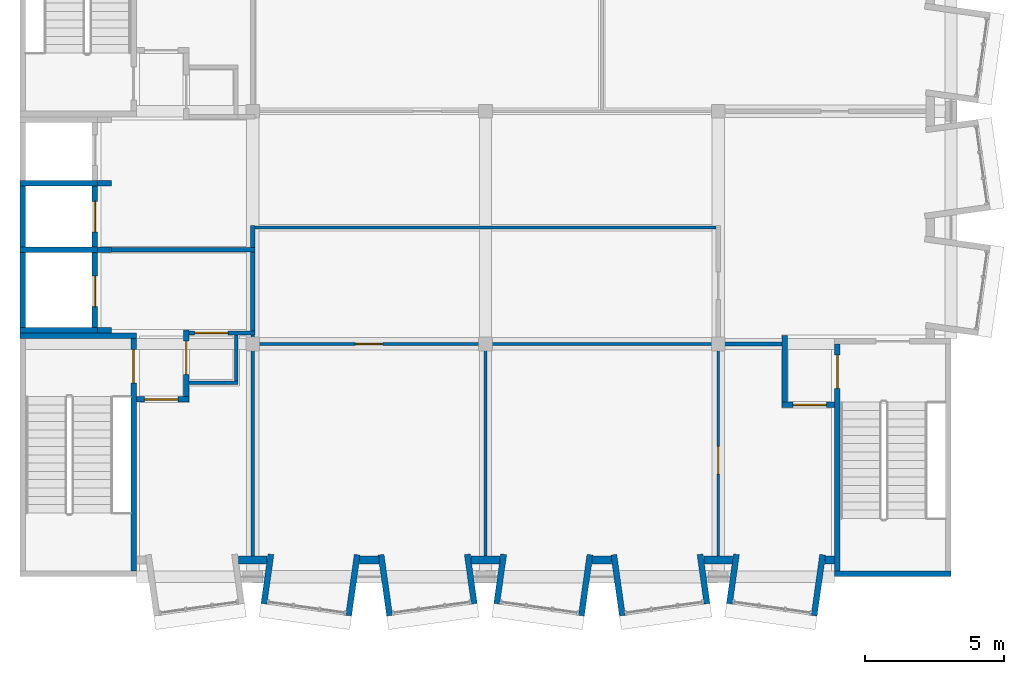
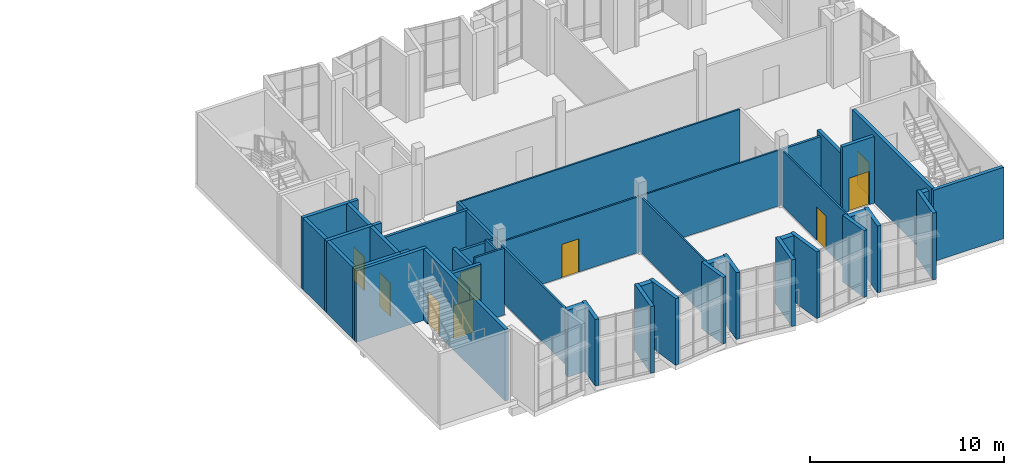
# One storey, part 11 of 18: 46 walls, 10 doors, 10 openings.
"""IFC4 building model written with IfcOpenShell, lengths in metres."""

from ifc_helpers import new_model, si_unit, direction, frame, frame_2d, origin, place, context, subcontext, project, spatial, rectangle, extrude, material, layer, layer_set, type_object, element, fill, save


model = new_model("IFC4")

# Units and contexts
model_context = context("Model", 3, precision=1e-05, world=origin(), true_north=direction((0.0, 1.0)))
body_context = subcontext(model_context, "Body", "Model", "MODEL_VIEW")
ifc_project = project(units=[si_unit("LENGTHUNIT", "METRE"), si_unit("AREAUNIT", "SQUARE_METRE"), si_unit("VOLUMEUNIT", "CUBIC_METRE"), si_unit("PLANEANGLEUNIT", "RADIAN"), si_unit("MASSUNIT", "GRAM", prefix="KILO")], contexts=[model_context])

# Site, building, storey
site_placement = place(None, origin())
site = spatial("IfcSite", under=ifc_project, at=site_placement, CompositionType="ELEMENT")
building_placement = place(site_placement, origin())
building = spatial("IfcBuilding", under=site, at=building_placement, Name="Kiln Court Media Centre", CompositionType="ELEMENT")
storey_placement = place(building_placement, frame((0.0, 0.0, 33.60009765625)))
storey = spatial("IfcBuildingStorey", under=building, at=storey_placement, Name="L07", CompositionType="ELEMENT", Elevation=33.60009765625)

# Wall, opening, door
ifc_material_1 = material(Name="Concrete block masonry M7.5", Category="masonry")
ifc_layer_1 = layer(ifc_material_1, 0.14990234375)
ifc_layer_set_1 = layer_set([ifc_layer_1], Name="Block lobby wall 150 EI 120")
wall_type_1 = type_object("IfcWallType", Name="Block lobby wall 150 EI 120", PredefinedType="SOLIDWALL", material=ifc_layer_set_1)
wall_1_placement = place(storey_placement, frame((6.10009765625, 8.800048828125, 0.0), z_axis=(0.0, 0.0, 1.0), x_axis=(1.0, 0.0, 0.0)))
wall_1 = element("IfcWall", 1, at=wall_1_placement, inside=storey, type_object=wall_type_1, Name="L07 block lobby wall", PredefinedType="SOLIDWALL", context=body_context, shape_type="SweptSolid", body=[
    extrude(rectangle(XDim=2.375, YDim=0.14990234375, at=frame_2d((1.1875, 0.0))), origin(), (0.0, 0.0, 1.0), 3.5),
])
opening_1_placement = place(wall_1_placement, frame((0.199951171875, 0.0, 0.0)))
opening_1 = element("IfcOpeningElement", 2, at=opening_1_placement, cuts=wall_1, Name="Opening D7013", PredefinedType="OPENING", context=body_context, shape_type="SweptSolid", body=[
    extrude(rectangle(XDim=1.199951171875, YDim=2.10009765625, at=frame_2d((0.60009765625, 1.050048828125))), frame((0.0, 0.0849609375, 0.0), z_axis=(0.0, -1.0, 0.0), x_axis=(1.0, 0.0, 0.0)), (0.0, 0.0, 1.0), 0.169921875),
])
ifc_material_2 = material(Name="Steel S275", Category="steel")
door_type_1 = type_object("IfcDoorType", Name="Steel lobby door 1200 x 2100 FD120", OperationType="SINGLE_SWING_LEFT", PredefinedType="DOOR", material=ifc_material_2)
door_1_placement = place(opening_1_placement, origin())
door_1 = element("IfcDoor", 3, at=door_1_placement, inside=storey, type_object=door_type_1, Name="Wheelchair Refuge / Fire-fighting Lift Lobby", OperationType="SINGLE_SWING_RIGHT", OverallHeight=2.10009765625, OverallWidth=1.199951171875, PredefinedType="DOOR", context=body_context, shape_type="SweptSolid", body=[
    extrude(rectangle(XDim=1.199951171875, YDim=2.10009765625, at=frame_2d((0.60009765625, 1.050048828125))), frame((0.0, 0.02490234375, 0.0), z_axis=(0.0, -1.0, 0.0), x_axis=(1.0, 0.0, 0.0)), (0.0, 0.0, 1.0), 0.050048828125),
])
fill(opening_1, door_1)

# Walls
wall_2_placement = place(storey_placement, frame((3.300048828125, 11.800048828125, 0.0), z_axis=(0.0, 0.0, 1.0), x_axis=(1.0, 0.0, 0.0)))
element("IfcWall", 4, at=wall_2_placement, inside=storey, type_object=wall_type_1, Name="L07 block lobby wall", PredefinedType="SOLIDWALL", context=body_context, shape_type="SweptSolid", body=[
    extrude(rectangle(XDim=5.175048828125, YDim=0.14990234375, at=frame_2d((2.58740234375, 0.0))), origin(), (0.0, 0.0, 1.0), 3.5),
])
wall_3_placement = place(storey_placement, frame((8.39990234375, 8.875, 0.0), z_axis=(0.0, 0.0, 1.0), x_axis=(0.0, 1.0, 0.0)))
element("IfcWall", 5, at=wall_3_placement, inside=storey, type_object=wall_type_1, Name="L07 block lobby wall", PredefinedType="SOLIDWALL", context=body_context, shape_type="SweptSolid", body=[
    extrude(rectangle(XDim=2.85009765625, YDim=0.14990234375, at=frame_2d((1.425048828125, 0.0))), origin(), (0.0, 0.0, 1.0), 3.5),
])

# Wall, opening, door
ifc_material_3 = material(Name="Concrete block masonry M10", Category="masonry")
ifc_layer_2 = layer(ifc_material_3, 0.199951171875)
ifc_layer_set_2 = layer_set([ifc_layer_2], Name="Block vestibule wall 200 EI 240")
wall_type_2 = type_object("IfcWallType", Name="Block vestibule wall 200 EI 240", PredefinedType="SOLIDWALL", material=ifc_layer_set_2)
wall_4_placement = place(storey_placement, frame((27.5, 6.199951171875, 0.0), z_axis=(0.0, 0.0, 1.0), x_axis=(1.0, 0.0, 0.0)))
wall_4 = element("IfcWall", 6, at=wall_4_placement, inside=storey, type_object=wall_type_2, Name="L07 block vestibule wall", PredefinedType="SOLIDWALL", context=body_context, shape_type="SweptSolid", body=[
    extrude(rectangle(XDim=1.89990234375, YDim=0.199951171875, at=frame_2d((0.949951171875, 0.0))), origin(), (0.0, 0.0, 1.0), 4.199951171875),
])
opening_2_placement = place(wall_4_placement, frame((0.39990234375, 0.0, 0.0)))
opening_2 = element("IfcOpeningElement", 7, at=opening_2_placement, cuts=wall_4, Name="Opening D7005", PredefinedType="OPENING", context=body_context, shape_type="SweptSolid", body=[
    extrude(rectangle(XDim=1.199951171875, YDim=2.10009765625, at=frame_2d((0.60009765625, 1.050048828125))), frame((0.0, 0.10986328125, 0.0), z_axis=(0.0, -1.0, 0.0), x_axis=(1.0, 0.0, 0.0)), (0.0, 0.0, 1.0), 0.219970703125),
])
ifc_material_4 = material(Name="Steel S275", Category="steel")
door_type_2 = type_object("IfcDoorType", Name="Steel vestibule door 1200 x 2100 FD180", OperationType="SINGLE_SWING_LEFT", PredefinedType="DOOR", material=ifc_material_4)
door_2_placement = place(opening_2_placement, origin())
door_2 = element("IfcDoor", 8, at=door_2_placement, inside=storey, type_object=door_type_2, Name="Meeting Room / Stair 3 Vestibule", OperationType="SINGLE_SWING_RIGHT", OverallHeight=2.10009765625, OverallWidth=1.199951171875, PredefinedType="DOOR", context=body_context, shape_type="SweptSolid", body=[
    extrude(rectangle(XDim=1.199951171875, YDim=2.10009765625, at=frame_2d((0.60009765625, 1.050048828125))), frame((0.0, 0.02490234375, 0.0), z_axis=(0.0, -1.0, 0.0), x_axis=(1.0, 0.0, 0.0)), (0.0, 0.0, 1.0), 0.050048828125),
])
fill(opening_2, door_2)

wall_5_placement = place(storey_placement, frame((4.2001953125, 6.39990234375, 0.0), z_axis=(0.0, 0.0, 1.0), x_axis=(1.0, 0.0, 0.0)))
wall_5 = element("IfcWall", 9, at=wall_5_placement, inside=storey, type_object=wall_type_2, Name="L07 block vestibule wall", PredefinedType="SOLIDWALL", context=body_context, shape_type="SweptSolid", body=[
    extrude(rectangle(XDim=1.89990234375, YDim=0.199951171875, at=frame_2d((0.949951171875, 0.0))), origin(), (0.0, 0.0, 1.0), 4.199951171875),
])
opening_3_placement = place(wall_5_placement, frame((0.2998046875, 0.0, 0.0)))
opening_3 = element("IfcOpeningElement", 10, at=opening_3_placement, cuts=wall_5, Name="Opening D7006", PredefinedType="OPENING", context=body_context, shape_type="SweptSolid", body=[
    extrude(rectangle(XDim=1.199951171875, YDim=2.10009765625, at=frame_2d((0.60009765625, 1.050048828125))), frame((0.0, 0.10986328125, 0.0), z_axis=(0.0, -1.0, 0.0), x_axis=(1.0, 0.0, 0.0)), (0.0, 0.0, 1.0), 0.219970703125),
])
door_3_placement = place(opening_3_placement, origin())
door_3 = element("IfcDoor", 11, at=door_3_placement, inside=storey, type_object=door_type_2, Name="Toilets and Accessible WC / Stair 1 Vestibule", OperationType="SINGLE_SWING_LEFT", OverallHeight=2.10009765625, OverallWidth=1.199951171875, PredefinedType="DOOR", context=body_context, shape_type="SweptSolid", body=[
    extrude(rectangle(XDim=1.199951171875, YDim=2.10009765625, at=frame_2d((0.60009765625, 1.050048828125))), frame((0.0, 0.02490234375, 0.0), z_axis=(0.0, -1.0, 0.0), x_axis=(1.0, 0.0, 0.0)), (0.0, 0.0, 1.0), 0.050048828125),
])
fill(opening_3, door_3)

wall_6_placement = place(storey_placement, frame((6.0, 6.5, 0.0), z_axis=(0.0, 0.0, 1.0), x_axis=(0.0, 1.0, 0.0)))
wall_6 = element("IfcWall", 12, at=wall_6_placement, inside=storey, type_object=wall_type_2, Name="L07 block vestibule wall", PredefinedType="SOLIDWALL", context=body_context, shape_type="SweptSolid", body=[
    extrude(rectangle(XDim=2.39990234375, YDim=0.199951171875, at=frame_2d((1.199951171875, 0.0))), origin(), (0.0, 0.0, 1.0), 3.699951171875),
])
opening_4_placement = place(wall_6_placement, frame((0.800048828125, 0.0, 0.0)))
opening_4 = element("IfcOpeningElement", 13, at=opening_4_placement, cuts=wall_6, Name="Opening D7007", PredefinedType="OPENING", context=body_context, shape_type="SweptSolid", body=[
    extrude(rectangle(XDim=1.199951171875, YDim=2.10009765625, at=frame_2d((0.60009765625, 1.050048828125))), frame((0.0, 0.10986328125, 0.0), z_axis=(0.0, -1.0, 0.0), x_axis=(1.0, 0.0, 0.0)), (0.0, 0.0, 1.0), 0.219970703125),
])
door_4_placement = place(opening_4_placement, origin())
door_4 = element("IfcDoor", 14, at=door_4_placement, inside=storey, type_object=door_type_2, Name="Stair 1 Vestibule / Wheelchair Refuge", OperationType="SINGLE_SWING_RIGHT", OverallHeight=2.10009765625, OverallWidth=1.199951171875, PredefinedType="DOOR", context=body_context, shape_type="SweptSolid", body=[
    extrude(rectangle(XDim=1.199951171875, YDim=2.10009765625, at=frame_2d((0.60009765625, 1.050048828125))), frame((0.0, 0.02490234375, 0.0), z_axis=(0.0, -1.0, 0.0), x_axis=(1.0, 0.0, 0.0)), (0.0, 0.0, 1.0), 0.050048828125),
])
fill(opening_4, door_4)

# Walls
wall_7_placement = place(storey_placement, frame((27.60009765625, 6.300048828125, 0.0), z_axis=(0.0, 0.0, 1.0), x_axis=(0.0, 1.0, 0.0)))
element("IfcWall", 15, at=wall_7_placement, inside=storey, type_object=wall_type_2, Name="L07 block vestibule wall", PredefinedType="SOLIDWALL", context=body_context, shape_type="SweptSolid", body=[
    extrude(rectangle(XDim=2.39990234375, YDim=0.199951171875, at=frame_2d((1.199951171875, 0.0))), origin(), (0.0, 0.0, 1.0), 3.699951171875),
])
ifc_material_5 = material(Name="Brick masonry facing leaf with RC backing", Category="masonry")
ifc_layer_3 = layer(ifc_material_5, 0.215087890625)
ifc_layer_set_3 = layer_set([ifc_layer_3], Name="Brick masonry bay cheek wall 215")
wall_type_3 = type_object("IfcWallType", Name="Brick masonry bay cheek wall 215", PredefinedType="SOLIDWALL", material=ifc_layer_set_3)
wall_8_placement = place(storey_placement, frame((9.055908203125, 0.808837890625, 0.0), z_axis=(0.0, 0.0, 1.0), x_axis=(-0.139161311926, -0.990269725511, 0.0)))
element("IfcWall", 16, at=wall_8_placement, inside=storey, type_object=wall_type_3, Name="BAY V6A-S-L07-48 cheek L", PredefinedType="SOLIDWALL", context=body_context, shape_type="SweptSolid", body=[
    extrude(rectangle(XDim=1.800048828125, YDim=0.215087890625, at=frame_2d((0.89990234375, 0.0))), origin(), (0.0, 0.0, 1.0), 4.199951171875),
])
wall_9_placement = place(storey_placement, frame((12.16943359375, 0.794921875, 0.0), z_axis=(0.0, 0.0, 1.0), x_axis=(-0.139141913905, -0.990272451295, 0.0)))
element("IfcWall", 17, at=wall_9_placement, inside=storey, type_object=wall_type_3, Name="BAY V6A-S-L07-48 cheek R", PredefinedType="SOLIDWALL", context=body_context, shape_type="SweptSolid", body=[
    extrude(rectangle(XDim=2.219482421875, YDim=0.215087890625, at=frame_2d((1.10986328125, 0.0))), origin(), (0.0, 0.0, 1.0), 4.199951171875),
])
wall_10_placement = place(storey_placement, frame((13.030517578125, 0.794921875, 0.0), z_axis=(0.0, 0.0, 1.0), x_axis=(0.139249775508, -0.99025728981, 0.0)))
element("IfcWall", 18, at=wall_10_placement, inside=storey, type_object=wall_type_3, Name="BAY V6A-S-L07-49 cheek L", PredefinedType="SOLIDWALL", context=body_context, shape_type="SweptSolid", body=[
    extrude(rectangle(XDim=2.2197265625, YDim=0.215087890625, at=frame_2d((1.10986328125, 0.0))), origin(), (0.0, 0.0, 1.0), 4.199951171875),
])
for number, where, z_axis, x_axis, name in (
    (19, (16.14404296875, 0.808837890625, 0.0), (0.0, 0.0, 1.0), (0.139161311926, -0.990269725511, 0.0), "BAY V6A-S-L07-49 cheek R"),
    (20, (17.4560546875, 0.808837890625, 0.0), (0.0, 0.0, 1.0), (-0.139161311926, -0.990269725511, 0.0), "BAY V6A-S-L07-50 cheek L"),
):
    element("IfcWall", number, at=place(storey_placement, frame(where, z_axis=z_axis, x_axis=x_axis)), inside=storey, type_object=wall_type_3, Name=name, PredefinedType="SOLIDWALL", context=body_context, shape_type="SweptSolid", body=[
        extrude(rectangle(XDim=1.800048828125, YDim=0.215087890625, at=frame_2d((0.89990234375, 0.0))), origin(), (0.0, 0.0, 1.0), 4.199951171875),
    ])
for number, where, z_axis, x_axis, name in (
    (21, (20.5693359375, 0.794921875, 0.0), (0.0, 0.0, 1.0), (-0.139141913905, -0.990272451295, 0.0), "BAY V6A-S-L07-50 cheek R"),
    (22, (21.4306640625, 0.794921875, 0.0), (0.0, 0.0, 1.0), (0.139141913905, -0.990272451295, 0.0), "BAY V6A-S-L07-51 cheek L"),
):
    element("IfcWall", number, at=place(storey_placement, frame(where, z_axis=z_axis, x_axis=x_axis)), inside=storey, type_object=wall_type_3, Name=name, PredefinedType="SOLIDWALL", context=body_context, shape_type="SweptSolid", body=[
        extrude(rectangle(XDim=2.219482421875, YDim=0.215087890625, at=frame_2d((1.10986328125, 0.0))), origin(), (0.0, 0.0, 1.0), 4.199951171875),
    ])
for number, where, z_axis, x_axis, name in (
    (23, (24.5439453125, 0.808837890625, 0.0), (0.0, 0.0, 1.0), (0.139161311926, -0.990269725511, 0.0), "BAY V6A-S-L07-51 cheek R"),
    (24, (25.85595703125, 0.808837890625, 0.0), (0.0, 0.0, 1.0), (-0.139161311926, -0.990269725511, 0.0), "BAY V6A-S-L07-52 cheek L"),
):
    element("IfcWall", number, at=place(storey_placement, frame(where, z_axis=z_axis, x_axis=x_axis)), inside=storey, type_object=wall_type_3, Name=name, PredefinedType="SOLIDWALL", context=body_context, shape_type="SweptSolid", body=[
        extrude(rectangle(XDim=1.800048828125, YDim=0.215087890625, at=frame_2d((0.89990234375, 0.0))), origin(), (0.0, 0.0, 1.0), 4.199951171875),
    ])
wall_11_placement = place(storey_placement, frame((28.969482421875, 0.794921875, 0.0), z_axis=(0.0, 0.0, 1.0), x_axis=(-0.139249775508, -0.99025728981, 0.0)))
element("IfcWall", 25, at=wall_11_placement, inside=storey, type_object=wall_type_3, Name="BAY V6A-S-L07-52 cheek R", PredefinedType="SOLIDWALL", context=body_context, shape_type="SweptSolid", body=[
    extrude(rectangle(XDim=2.2197265625, YDim=0.215087890625, at=frame_2d((1.10986328125, 0.0))), origin(), (0.0, 0.0, 1.0), 4.199951171875),
])
ifc_material_6 = material(Name="Brick masonry facing leaf with RC backing", Category="masonry")
ifc_layer_4 = layer(ifc_material_6, 0.300048828125)
ifc_layer_set_4 = layer_set([ifc_layer_4], Name="Brick masonry cavity wall 300")
wall_type_4 = type_object("IfcWallType", Name="Brick masonry cavity wall 300", PredefinedType="SOLIDWALL", material=ifc_layer_set_4)
wall_12_placement = place(storey_placement, frame((8.918212890625, 0.60009765625, 0.0), z_axis=(0.0, 0.0, 1.0), x_axis=(-1.0, 0.0, 0.0)))
element("IfcWall", 26, at=wall_12_placement, inside=storey, type_object=wall_type_4, Name="V6A-S facade L07 3045", PredefinedType="SOLIDWALL", context=body_context, shape_type="SweptSolid", body=[
    extrude(rectangle(XDim=1.036376953125, YDim=0.300048828125, at=frame_2d((0.51806640625, 0.0))), origin(), (0.0, 0.0, 1.0), 4.199951171875),
])
wall_13_placement = place(storey_placement, frame((12.949462890625, 0.60009765625, 0.0), z_axis=(0.0, 0.0, 1.0), x_axis=(-1.0, 0.0, 0.0)))
element("IfcWall", 27, at=wall_13_placement, inside=storey, type_object=wall_type_4, Name="V6A-S facade L07 3046", PredefinedType="SOLIDWALL", context=body_context, shape_type="SweptSolid", body=[
    extrude(rectangle(XDim=0.698974609375, YDim=0.300048828125, at=frame_2d((0.349609375, 0.0))), origin(), (0.0, 0.0, 1.0), 4.199951171875),
])
wall_14_placement = place(storey_placement, frame((17.318115234375, 0.60009765625, 0.0), z_axis=(0.0, 0.0, 1.0), x_axis=(-1.0, 0.0, 0.0)))
element("IfcWall", 28, at=wall_14_placement, inside=storey, type_object=wall_type_4, Name="V6A-S facade L07 3047", PredefinedType="SOLIDWALL", context=body_context, shape_type="SweptSolid", body=[
    extrude(rectangle(XDim=1.0361328125, YDim=0.300048828125, at=frame_2d((0.51806640625, 0.0))), origin(), (0.0, 0.0, 1.0), 4.199951171875),
])
wall_15_placement = place(storey_placement, frame((21.349609375, 0.60009765625, 0.0), z_axis=(0.0, 0.0, 1.0), x_axis=(-1.0, 0.0, 0.0)))
element("IfcWall", 29, at=wall_15_placement, inside=storey, type_object=wall_type_4, Name="V6A-S facade L07 3048", PredefinedType="SOLIDWALL", context=body_context, shape_type="SweptSolid", body=[
    extrude(rectangle(XDim=0.69921875, YDim=0.300048828125, at=frame_2d((0.349609375, 0.0))), origin(), (0.0, 0.0, 1.0), 4.199951171875),
])
wall_16_placement = place(storey_placement, frame((25.718017578125, 0.60009765625, 0.0), z_axis=(0.0, 0.0, 1.0), x_axis=(-1.0, 0.0, 0.0)))
element("IfcWall", 30, at=wall_16_placement, inside=storey, type_object=wall_type_4, Name="V6A-S facade L07 3049", PredefinedType="SOLIDWALL", context=body_context, shape_type="SweptSolid", body=[
    extrude(rectangle(XDim=1.0361328125, YDim=0.300048828125, at=frame_2d((0.51806640625, 0.0))), origin(), (0.0, 0.0, 1.0), 4.199951171875),
])
wall_17_placement = place(storey_placement, frame((29.39990234375, 0.60009765625, 0.0), z_axis=(0.0, 0.0, 1.0), x_axis=(-1.0, 0.0, 0.0)))
element("IfcWall", 31, at=wall_17_placement, inside=storey, type_object=wall_type_4, Name="V6A-S facade L07 3050", PredefinedType="SOLIDWALL", context=body_context, shape_type="SweptSolid", body=[
    extrude(rectangle(XDim=0.349365234375, YDim=0.300048828125, at=frame_2d((0.1748046875, 0.0))), origin(), (0.0, 0.0, 1.0), 4.199951171875),
])
ifc_material_7 = material(Name="Concrete C40/50", Category="concrete")
ifc_layer_5 = layer(ifc_material_7, 0.199951171875)
ifc_layer_set_5 = layer_set([ifc_layer_5], Name="Concrete C40/50 shear wall 200")
wall_type_5 = type_object("IfcWallType", Name="Concrete C40/50 shear wall 200", PredefinedType="SHEAR", material=ifc_layer_set_5)
wall_18_placement = place(storey_placement, frame((0.00048828125, 8.699951171875, 0.0), z_axis=(0.0, 0.0, 1.0), x_axis=(1.0, 0.0, 0.0)))
element("IfcWall", 32, at=wall_18_placement, inside=storey, type_object=wall_type_5, Name="L07-W-1001", PredefinedType="SHEAR", context=body_context, shape_type="SweptSolid", body=[
    extrude(rectangle(XDim=4.199462890625, YDim=0.199951171875, at=frame_2d((2.099609375, 0.0))), origin(), (0.0, 0.0, 1.0), 4.5),
])

# Wall, opening, door
wall_19_placement = place(storey_placement, frame((4.10009765625, 8.60009765625, 0.0), z_axis=(0.0, 0.0, 1.0), x_axis=(0.0, -1.0, 0.0)))
wall_19 = element("IfcWall", 33, at=wall_19_placement, inside=storey, type_object=wall_type_5, Name="L07-W-1003", PredefinedType="SHEAR", context=body_context, shape_type="SweptSolid", body=[
    extrude(rectangle(XDim=8.400146484375, YDim=0.199951171875, at=frame_2d((4.2001953125, 0.0))), origin(), (0.0, 0.0, 1.0), 4.5),
])
opening_5_placement = place(wall_19_placement, frame((0.400146484375, 0.0, 0.0)))
opening_5 = element("IfcOpeningElement", 34, at=opening_5_placement, cuts=wall_19, Name="Opening D7001", PredefinedType="OPENING", context=body_context, shape_type="SweptSolid", body=[
    extrude(rectangle(XDim=1.199951171875, YDim=2.10009765625, at=frame_2d((0.60009765625, 1.050048828125))), frame((0.0, 0.10986328125, 0.0), z_axis=(0.0, -1.0, 0.0), x_axis=(1.0, 0.0, 0.0)), (0.0, 0.0, 1.0), 0.219970703125),
])
ifc_material_8 = material(Name="Steel S275", Category="steel")
door_type_3 = type_object("IfcDoorType", Name="Steel stair door 1200 x 2100 FD180", OperationType="SINGLE_SWING_LEFT", PredefinedType="DOOR", material=ifc_material_8)
door_5_placement = place(opening_5_placement, origin())
door_5 = element("IfcDoor", 35, at=door_5_placement, inside=storey, type_object=door_type_3, Name="Stair 1 / Stair 1 Vestibule", OperationType="SINGLE_SWING_RIGHT", OverallHeight=2.10009765625, OverallWidth=1.199951171875, PredefinedType="DOOR", context=body_context, shape_type="SweptSolid", body=[
    extrude(rectangle(XDim=1.199951171875, YDim=2.10009765625, at=frame_2d((0.60009765625, 1.050048828125))), frame((0.0, 0.02490234375, 0.0), z_axis=(0.0, -1.0, 0.0), x_axis=(1.0, 0.0, 0.0)), (0.0, 0.0, 1.0), 0.050048828125),
])
fill(opening_5, door_5)

# Wall
wall_20_placement = place(storey_placement, frame((33.60009765625, 0.10009765625, 0.0), z_axis=(0.0, 0.0, 1.0), x_axis=(-1.0, 0.0, 0.0)))
element("IfcWall", 36, at=wall_20_placement, inside=storey, type_object=wall_type_5, Name="L07-W-1008", PredefinedType="SHEAR", context=body_context, shape_type="SweptSolid", body=[
    extrude(rectangle(XDim=4.2001953125, YDim=0.199951171875, at=frame_2d((2.10009765625, 0.0))), origin(), (0.0, 0.0, 1.0), 4.5),
])

# Wall, opening, door
wall_21_placement = place(storey_placement, frame((29.5, 0.199951171875, 0.0), z_axis=(0.0, 0.0, 1.0), x_axis=(0.0, 1.0, 0.0)))
wall_21 = element("IfcWall", 37, at=wall_21_placement, inside=storey, type_object=wall_type_5, Name="L07-W-1010", PredefinedType="SHEAR", context=body_context, shape_type="SweptSolid", body=[
    extrude(rectangle(XDim=8.199951171875, YDim=0.199951171875, at=frame_2d((4.10009765625, 0.0))), origin(), (0.0, 0.0, 1.0), 4.5),
])
opening_6_placement = place(wall_21_placement, frame((6.60009765625, 0.0, 0.0)))
opening_6 = element("IfcOpeningElement", 38, at=opening_6_placement, cuts=wall_21, Name="Opening D7002", PredefinedType="OPENING", context=body_context, shape_type="SweptSolid", body=[
    extrude(rectangle(XDim=1.199951171875, YDim=2.10009765625, at=frame_2d((0.60009765625, 1.050048828125))), frame((0.0, 0.10986328125, 0.0), z_axis=(0.0, -1.0, 0.0), x_axis=(1.0, 0.0, 0.0)), (0.0, 0.0, 1.0), 0.219970703125),
])
door_6_placement = place(opening_6_placement, origin())
door_6 = element("IfcDoor", 39, at=door_6_placement, inside=storey, type_object=door_type_3, Name="Stair 3 / Stair 3 Vestibule", OperationType="SINGLE_SWING_RIGHT", OverallHeight=2.10009765625, OverallWidth=1.199951171875, PredefinedType="DOOR", context=body_context, shape_type="SweptSolid", body=[
    extrude(rectangle(XDim=1.199951171875, YDim=2.10009765625, at=frame_2d((0.60009765625, 1.050048828125))), frame((0.0, 0.02490234375, 0.0), z_axis=(0.0, -1.0, 0.0), x_axis=(1.0, 0.0, 0.0)), (0.0, 0.0, 1.0), 0.050048828125),
])
fill(opening_6, door_6)

# Walls
for number, where, z_axis, x_axis, name in (
    (40, (2.800048828125, 8.89990234375, 0.0), (0.0, 0.0, 1.0), (-1.0, 0.0, 0.0), "L07-W-1020"),
    (41, (0.00048828125, 11.800048828125, 0.0), (0.0, 0.0, 1.0), (1.0, 0.0, 0.0), "L07-W-1021"),
):
    element("IfcWall", number, at=place(storey_placement, frame(where, z_axis=z_axis, x_axis=x_axis)), inside=storey, type_object=wall_type_5, Name=name, PredefinedType="SHEAR", context=body_context, shape_type="SweptSolid", body=[
        extrude(rectangle(XDim=2.799560546875, YDim=0.199951171875, at=frame_2d((1.39990234375, 0.0))), origin(), (0.0, 0.0, 1.0), 4.5),
    ])
wall_22_placement = place(storey_placement, frame((0.100341796875, 9.0, 0.0), z_axis=(0.0, 0.0, 1.0), x_axis=(0.0, 1.0, 0.0)))
element("IfcWall", 42, at=wall_22_placement, inside=storey, type_object=wall_type_5, Name="L07-W-1022", PredefinedType="SHEAR", context=body_context, shape_type="SweptSolid", body=[
    extrude(rectangle(XDim=2.699951171875, YDim=0.199951171875, at=frame_2d((1.35009765625, 0.0))), origin(), (0.0, 0.0, 1.0), 4.5),
])

# Wall, opening, door
wall_23_placement = place(storey_placement, frame((2.699951171875, 11.699951171875, 0.0), z_axis=(0.0, 0.0, 1.0), x_axis=(0.0, -1.0, 0.0)))
wall_23 = element("IfcWall", 43, at=wall_23_placement, inside=storey, type_object=wall_type_5, Name="L07-W-1023", PredefinedType="SHEAR", context=body_context, shape_type="SweptSolid", body=[
    extrude(rectangle(XDim=2.699951171875, YDim=0.199951171875, at=frame_2d((1.35009765625, 0.0))), origin(), (0.0, 0.0, 1.0), 4.5),
])
opening_7_placement = place(wall_23_placement, frame((0.85009765625, 0.0, 0.0)))
opening_7 = element("IfcOpeningElement", 44, at=opening_7_placement, cuts=wall_23, Name="Opening LD701", PredefinedType="OPENING", context=body_context, shape_type="SweptSolid", body=[
    extrude(rectangle(XDim=1.10009765625, YDim=2.10009765625, at=frame_2d((0.550048828125, 1.050048828125))), frame((0.0, 0.10986328125, 0.0), z_axis=(0.0, -1.0, 0.0), x_axis=(1.0, 0.0, 0.0)), (0.0, 0.0, 1.0), 0.219970703125),
])
ifc_material_9 = material(Name="Stainless steel", Category="steel")
door_type_4 = type_object("IfcDoorType", Name="Firefighting lift landing door 1100 x 2100 FD120", OperationType="SLIDING_TO_LEFT", PredefinedType="DOOR", material=ifc_material_9)
door_7_placement = place(opening_7_placement, origin())
door_7 = element("IfcDoor", 45, at=door_7_placement, inside=storey, type_object=door_type_4, Name="LF-01 landing door L07", OperationType="SLIDING_TO_LEFT", OverallHeight=2.10009765625, OverallWidth=1.10009765625, PredefinedType="DOOR", context=body_context, shape_type="SweptSolid", body=[
    extrude(rectangle(XDim=1.10009765625, YDim=2.10009765625, at=frame_2d((0.550048828125, 1.050048828125))), frame((0.0, 0.02490234375, 0.0), z_axis=(0.0, -1.0, 0.0), x_axis=(1.0, 0.0, 0.0)), (0.0, 0.0, 1.0), 0.050048828125),
])
fill(opening_7, door_7)

# Walls
wall_24_placement = place(storey_placement, frame((0.00048828125, 14.199951171875, 0.0), z_axis=(0.0, 0.0, 1.0), x_axis=(1.0, 0.0, 0.0)))
element("IfcWall", 46, at=wall_24_placement, inside=storey, type_object=wall_type_5, Name="L07-W-1024", PredefinedType="SHEAR", context=body_context, shape_type="SweptSolid", body=[
    extrude(rectangle(XDim=2.799560546875, YDim=0.199951171875, at=frame_2d((1.39990234375, 0.0))), origin(), (0.0, 0.0, 1.0), 4.5),
])
wall_25_placement = place(storey_placement, frame((0.100341796875, 11.89990234375, 0.0), z_axis=(0.0, 0.0, 1.0), x_axis=(0.0, 1.0, 0.0)))
element("IfcWall", 47, at=wall_25_placement, inside=storey, type_object=wall_type_5, Name="L07-W-1025", PredefinedType="SHEAR", context=body_context, shape_type="SweptSolid", body=[
    extrude(rectangle(XDim=2.2001953125, YDim=0.199951171875, at=frame_2d((1.10009765625, 0.0))), origin(), (0.0, 0.0, 1.0), 4.5),
])

# Wall, opening, door
wall_26_placement = place(storey_placement, frame((2.699951171875, 14.10009765625, 0.0), z_axis=(0.0, 0.0, 1.0), x_axis=(0.0, -1.0, 0.0)))
wall_26 = element("IfcWall", 48, at=wall_26_placement, inside=storey, type_object=wall_type_5, Name="L07-W-1026", PredefinedType="SHEAR", context=body_context, shape_type="SweptSolid", body=[
    extrude(rectangle(XDim=2.2001953125, YDim=0.199951171875, at=frame_2d((1.10009765625, 0.0))), origin(), (0.0, 0.0, 1.0), 4.5),
])
opening_8_placement = place(wall_26_placement, frame((0.550048828125, 0.0, 0.0)))
opening_8 = element("IfcOpeningElement", 49, at=opening_8_placement, cuts=wall_26, Name="Opening LD702", PredefinedType="OPENING", context=body_context, shape_type="SweptSolid", body=[
    extrude(rectangle(XDim=1.10009765625, YDim=2.10009765625, at=frame_2d((0.550048828125, 1.050048828125))), frame((0.0, 0.10986328125, 0.0), z_axis=(0.0, -1.0, 0.0), x_axis=(1.0, 0.0, 0.0)), (0.0, 0.0, 1.0), 0.219970703125),
])
ifc_material_10 = material(Name="Stainless steel", Category="steel")
door_type_5 = type_object("IfcDoorType", Name="Lift landing door 1100 x 2100 FD120", OperationType="SLIDING_TO_LEFT", PredefinedType="DOOR", material=ifc_material_10)
door_8_placement = place(opening_8_placement, origin())
door_8 = element("IfcDoor", 50, at=door_8_placement, inside=storey, type_object=door_type_5, Name="LF-02 landing door L07", OperationType="SLIDING_TO_LEFT", OverallHeight=2.10009765625, OverallWidth=1.10009765625, PredefinedType="DOOR", context=body_context, shape_type="SweptSolid", body=[
    extrude(rectangle(XDim=1.10009765625, YDim=2.10009765625, at=frame_2d((0.550048828125, 1.050048828125))), frame((0.0, 0.02490234375, 0.0), z_axis=(0.0, -1.0, 0.0), x_axis=(1.0, 0.0, 0.0)), (0.0, 0.0, 1.0), 0.050048828125),
])
fill(opening_8, door_8)

# Walls
for number, where, z_axis, x_axis, name in (
    (51, (3.300048828125, 8.89990234375, 0.0), (0.0, 0.0, 1.0), (-1.0, 0.0, 0.0), "L07-W-1042"),
    (52, (2.800048828125, 11.800048828125, 0.0), (0.0, 0.0, 1.0), (1.0, 0.0, 0.0), "L07-W-1043"),
    (53, (2.800048828125, 14.199951171875, 0.0), (0.0, 0.0, 1.0), (1.0, 0.0, 0.0), "L07-W-1044"),
):
    element("IfcWall", number, at=place(storey_placement, frame(where, z_axis=z_axis, x_axis=x_axis)), inside=storey, type_object=wall_type_5, Name=name, PredefinedType="SHEAR", context=body_context, shape_type="SweptSolid", body=[
        extrude(rectangle(XDim=0.5, YDim=0.199951171875, at=frame_2d((0.25, 0.0))), origin(), (0.0, 0.0, 1.0), 4.5),
    ])
ifc_material_11 = material(Name="Gypsum plasterboard", Category="gypsum")
ifc_layer_6 = layer(ifc_material_11, 0.14990234375)
ifc_layer_set_6 = layer_set([ifc_layer_6], Name="Gypsum corridor partition 150 EI 60")
wall_type_6 = type_object("IfcWallType", Name="Gypsum corridor partition 150 EI 60", PredefinedType="PARTITIONING", material=ifc_layer_set_6)
wall_27_placement = place(storey_placement, frame((25.125, 8.39990234375, 0.0), z_axis=(0.0, 0.0, 1.0), x_axis=(1.0, 0.0, 0.0)))
element("IfcWall", 54, at=wall_27_placement, inside=storey, type_object=wall_type_6, Name="L07 gypsum corridor partition", PredefinedType="PARTITIONING", context=body_context, shape_type="SweptSolid", body=[
    extrude(rectangle(XDim=2.375, YDim=0.14990234375, at=frame_2d((1.1875, 0.0))), origin(), (0.0, 0.0, 1.0), 3.5),
])
wall_28_placement = place(storey_placement, frame((8.39990234375, 11.875, 0.0), z_axis=(0.0, 0.0, 1.0), x_axis=(0.0, 1.0, 0.0)))
element("IfcWall", 55, at=wall_28_placement, inside=storey, type_object=wall_type_6, Name="L07 gypsum corridor partition", PredefinedType="PARTITIONING", context=body_context, shape_type="SweptSolid", body=[
    extrude(rectangle(XDim=0.800048828125, YDim=0.14990234375, at=frame_2d((0.39990234375, 0.0))), origin(), (0.0, 0.0, 1.0), 3.5),
])

# Wall, opening, door
ifc_material_12 = material(Name="Gypsum plasterboard", Category="gypsum")
ifc_layer_7 = layer(ifc_material_12, 0.10009765625)
ifc_layer_set_7 = layer_set([ifc_layer_7], Name="Gypsum stud partition 100")
wall_type_7 = type_object("IfcWallType", Name="Gypsum stud partition 100", PredefinedType="PARTITIONING", material=ifc_layer_set_7)
wall_29_placement = place(storey_placement, frame((8.46240234375, 8.39990234375, 0.0), z_axis=(0.0, 0.0, 1.0), x_axis=(1.0, 0.0, 0.0)))
wall_29 = element("IfcWall", 56, at=wall_29_placement, inside=storey, type_object=wall_type_7, Name="L07 gypsum stud partition", PredefinedType="PARTITIONING", context=body_context, shape_type="SweptSolid", body=[
    extrude(rectangle(XDim=16.66259765625, YDim=0.10009765625, at=frame_2d((8.331298828125, 0.0))), origin(), (0.0, 0.0, 1.0), 3.5),
])
opening_9_placement = place(wall_29_placement, frame((3.637451171875, 0.0, 0.0)))
opening_9 = element("IfcOpeningElement", 57, at=opening_9_placement, cuts=wall_29, Name="Opening D7014", PredefinedType="OPENING", context=body_context, shape_type="SweptSolid", body=[
    extrude(rectangle(XDim=1.0, YDim=2.10009765625, at=frame_2d((0.5, 1.050048828125))), frame((0.0, 0.06005859375, 0.0), z_axis=(0.0, -1.0, 0.0), x_axis=(1.0, 0.0, 0.0)), (0.0, 0.0, 1.0), 0.1201171875),
])
ifc_material_13 = material(Name="Timber", Category="wood")
door_type_6 = type_object("IfcDoorType", Name="Timber door 1000 x 2100", OperationType="SINGLE_SWING_LEFT", PredefinedType="DOOR", material=ifc_material_13)
door_9_placement = place(opening_9_placement, origin())
door_9 = element("IfcDoor", 58, at=door_9_placement, inside=storey, type_object=door_type_6, Name="Administration / Staff Training Hall", OperationType="SINGLE_SWING_RIGHT", OverallHeight=2.10009765625, OverallWidth=1.0, PredefinedType="DOOR", context=body_context, shape_type="SweptSolid", body=[
    extrude(rectangle(XDim=1.0, YDim=2.10009765625, at=frame_2d((0.5, 1.050048828125))), frame((0.0, 0.02490234375, 0.0), z_axis=(0.0, -1.0, 0.0), x_axis=(1.0, 0.0, 0.0)), (0.0, 0.0, 1.0), 0.050048828125),
])
fill(opening_9, door_9)

# Walls
wall_30_placement = place(storey_placement, frame((8.47509765625, 12.60009765625, 0.0), z_axis=(0.0, 0.0, 1.0), x_axis=(1.0, 0.0, 0.0)))
element("IfcWall", 59, at=wall_30_placement, inside=storey, type_object=wall_type_7, Name="L07 gypsum stud partition", PredefinedType="PARTITIONING", context=body_context, shape_type="SweptSolid", body=[
    extrude(rectangle(XDim=16.64990234375, YDim=0.10009765625, at=frame_2d((8.324951171875, 0.0))), origin(), (0.0, 0.0, 1.0), 3.5),
])
wall_31_placement = place(storey_placement, frame((16.800048828125, 0.75, 0.0), z_axis=(0.0, 0.0, 1.0), x_axis=(0.0, 1.0, 0.0)))
element("IfcWall", 60, at=wall_31_placement, inside=storey, type_object=wall_type_7, Name="L07 gypsum stud partition", PredefinedType="PARTITIONING", context=body_context, shape_type="SweptSolid", body=[
    extrude(rectangle(XDim=7.60009765625, YDim=0.10009765625, at=frame_2d((3.800048828125, 0.0))), origin(), (0.0, 0.0, 1.0), 3.5),
])

# Wall, opening, door
wall_32_placement = place(storey_placement, frame((25.199951171875, 0.75, 0.0), z_axis=(0.0, 0.0, 1.0), x_axis=(0.0, 1.0, 0.0)))
wall_32 = element("IfcWall", 61, at=wall_32_placement, inside=storey, type_object=wall_type_7, Name="L07 gypsum stud partition", PredefinedType="PARTITIONING", context=body_context, shape_type="SweptSolid", body=[
    extrude(rectangle(XDim=7.574951171875, YDim=0.10009765625, at=frame_2d((3.78759765625, 0.0))), origin(), (0.0, 0.0, 1.0), 3.5),
])
opening_10_placement = place(wall_32_placement, frame((2.949951171875, 0.0, 0.0)))
opening_10 = element("IfcOpeningElement", 62, at=opening_10_placement, cuts=wall_32, Name="Opening D7012", PredefinedType="OPENING", context=body_context, shape_type="SweptSolid", body=[
    extrude(rectangle(XDim=1.0, YDim=2.10009765625, at=frame_2d((0.5, 1.050048828125))), frame((0.0, 0.06005859375, 0.0), z_axis=(0.0, -1.0, 0.0), x_axis=(1.0, 0.0, 0.0)), (0.0, 0.0, 1.0), 0.1201171875),
])
door_10_placement = place(opening_10_placement, origin())
door_10 = element("IfcDoor", 63, at=door_10_placement, inside=storey, type_object=door_type_6, Name="Boardroom / Meeting Room", OperationType="SINGLE_SWING_RIGHT", OverallHeight=2.10009765625, OverallWidth=1.0, PredefinedType="DOOR", context=body_context, shape_type="SweptSolid", body=[
    extrude(rectangle(XDim=1.0, YDim=2.10009765625, at=frame_2d((0.5, 1.050048828125))), frame((0.0, 0.02490234375, 0.0), z_axis=(0.0, -1.0, 0.0), x_axis=(1.0, 0.0, 0.0)), (0.0, 0.0, 1.0), 0.050048828125),
])
fill(opening_10, door_10)

# Walls
ifc_material_14 = material(Name="Gypsum plasterboard", Category="gypsum")
ifc_layer_8 = layer(ifc_material_14, 0.125)
ifc_layer_set_8 = layer_set([ifc_layer_8], Name="Gypsum wet-area partition 125")
wall_type_8 = type_object("IfcWallType", Name="Gypsum wet-area partition 125", PredefinedType="PARTITIONING", material=ifc_layer_set_8)
wall_33_placement = place(storey_placement, frame((6.10009765625, 7.0, 0.0), z_axis=(0.0, 0.0, 1.0), x_axis=(1.0, 0.0, 0.0)))
element("IfcWall", 64, at=wall_33_placement, inside=storey, type_object=wall_type_8, Name="L07 gypsum wet-area partition", PredefinedType="PARTITIONING", context=body_context, shape_type="SweptSolid", body=[
    extrude(rectangle(XDim=1.762451171875, YDim=0.125, at=frame_2d((0.88134765625, 0.0))), origin(), (0.0, 0.0, 1.0), 4.199951171875),
])
wall_34_placement = place(storey_placement, frame((7.800048828125, 7.0625, 0.0), z_axis=(0.0, 0.0, 1.0), x_axis=(0.0, 1.0, 0.0)))
element("IfcWall", 65, at=wall_34_placement, inside=storey, type_object=wall_type_8, Name="L07 gypsum wet-area partition", PredefinedType="PARTITIONING", context=body_context, shape_type="SweptSolid", body=[
    extrude(rectangle(XDim=1.66259765625, YDim=0.125, at=frame_2d((0.831298828125, 0.0))), origin(), (0.0, 0.0, 1.0), 3.699951171875),
])
wall_35_placement = place(storey_placement, frame((8.39990234375, 0.75, 0.0), z_axis=(0.0, 0.0, 1.0), x_axis=(0.0, 1.0, 0.0)))
element("IfcWall", 66, at=wall_35_placement, inside=storey, type_object=wall_type_8, Name="L07 gypsum wet-area partition", PredefinedType="PARTITIONING", context=body_context, shape_type="SweptSolid", body=[
    extrude(rectangle(XDim=7.97509765625, YDim=0.125, at=frame_2d((3.987548828125, 0.0))), origin(), (0.0, 0.0, 1.0), 3.5),
])

save(model, "model.ifc")
